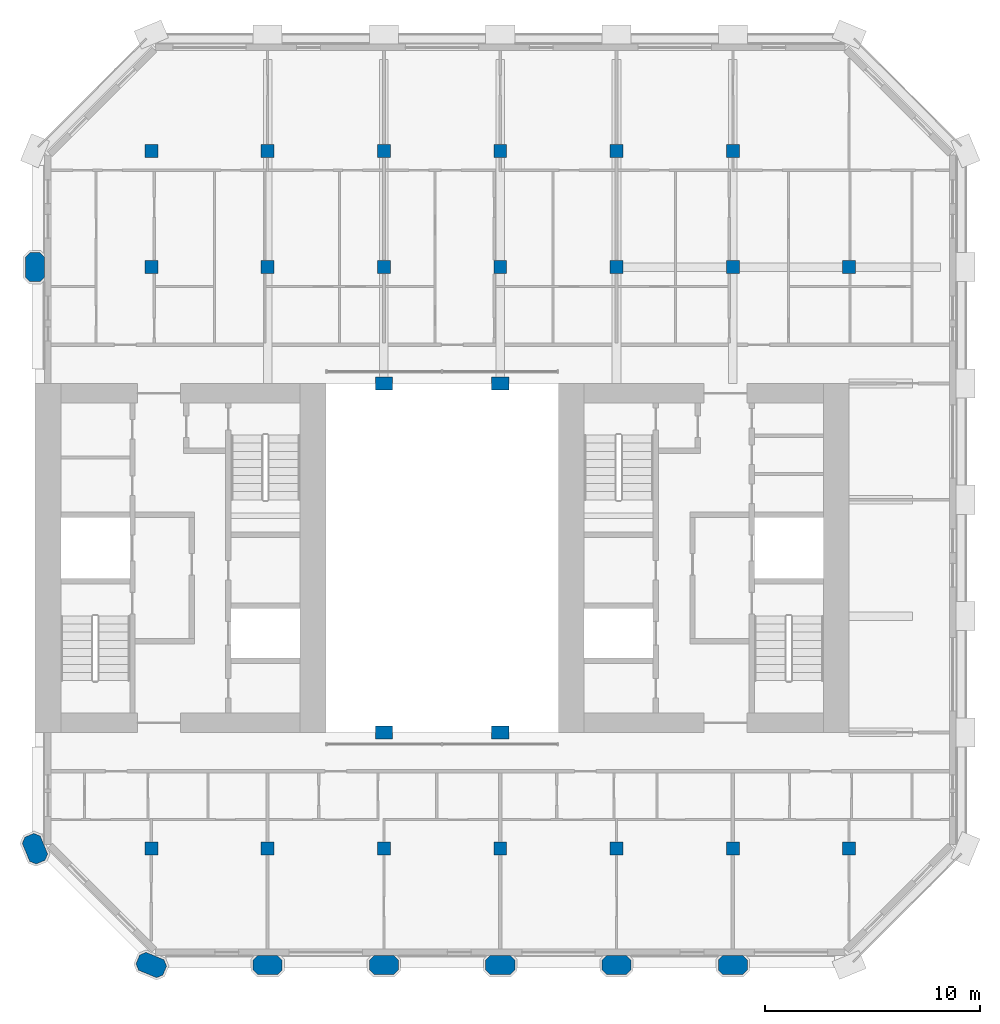
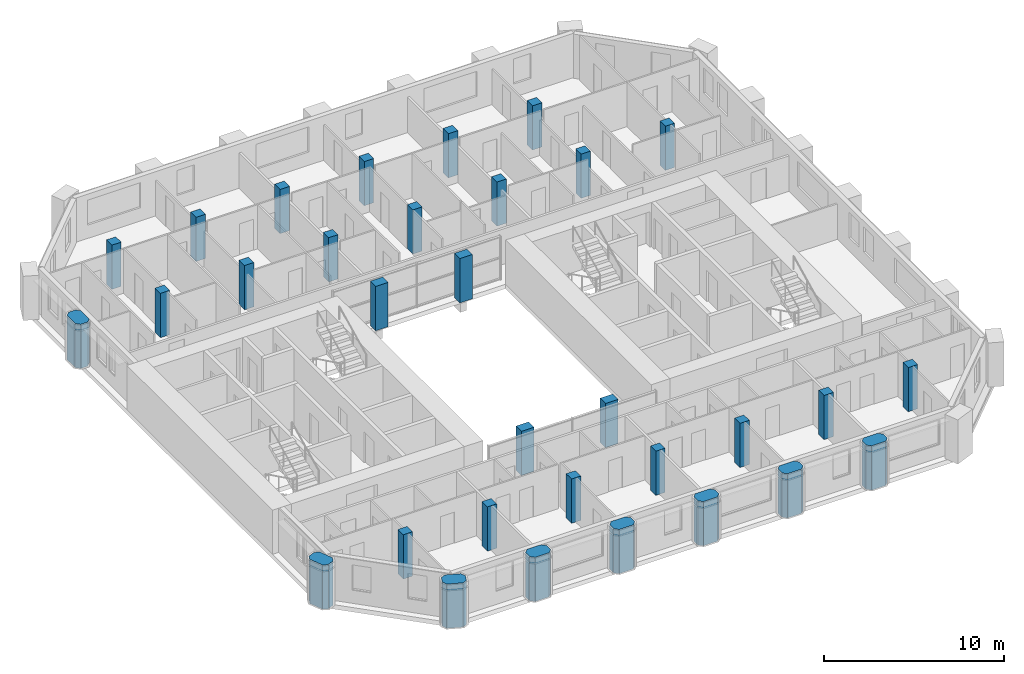
# One storey, part 1 of 13: 32 columns.
"""IFC4 building model written with IfcOpenShell, lengths in metres."""

from ifc_helpers import new_model, si_unit, direction, frame, origin, origin_2d, place, context, subcontext, project, spatial, polyline, rectangle, outline, extrude, material, material_profile, profile_set, type_object, element, save


model = new_model("IFC4")

# Units and contexts
model_context = context("Model", 3, precision=1e-05, world=origin(), true_north=direction((0.0, 1.0)))
body_context = subcontext(model_context, "Body", "Model", "MODEL_VIEW")
ifc_project = project(units=[si_unit("LENGTHUNIT", "METRE"), si_unit("AREAUNIT", "SQUARE_METRE"), si_unit("VOLUMEUNIT", "CUBIC_METRE"), si_unit("PLANEANGLEUNIT", "RADIAN"), si_unit("MASSUNIT", "GRAM", prefix="KILO")], contexts=[model_context])

# Site, building, storey
site_placement = place(None, origin())
site = spatial("IfcSite", under=ifc_project, at=site_placement, CompositionType="ELEMENT")
building_placement = place(site_placement, origin())
building = spatial("IfcBuilding", under=site, at=building_placement, Name="Tabaq Tower and Sports Hall", CompositionType="ELEMENT")
storey_placement = place(building_placement, frame((0.0, 0.0, 298.300048828125)))
storey = spatial("IfcBuildingStorey", under=building, at=storey_placement, Name="L74", CompositionType="ELEMENT", Elevation=298.300048828125)

# Columns
ifc_material_1 = material(Name="Concrete C40/50", Category="concrete")
ifc_material_profile_1 = material_profile(ifc_material_1, rectangle(XDim=0.800048828125, YDim=0.60009765625, at=origin_2d()), Name="ATRIUM COLUMN 800x600")
ifc_profile_set_1 = profile_set([ifc_material_profile_1], Name="Concrete C40/50")
column_type_1 = type_object("IfcColumnType", Name="RC COLUMN ATRIUM COLUMN 800x600 C40/50", PredefinedType="COLUMN", material=ifc_profile_set_1)
for number, where, z_axis, x_axis, name in (
    (1, (21.60009765625, 16.199951171875, 0.0), (0.0, 0.0, 1.0), (1.0, 0.0, 0.0), "Atrium Column 5/D L74"),
    (2, (27.0, 16.199951171875, 0.0), (0.0, 0.0, 1.0), (1.0, 0.0, 0.0), "Atrium Column 6/D L74"),
    (3, (21.60009765625, 32.39990234375, 0.0), (0.0, 0.0, 1.0), (1.0, 0.0, 0.0), "Atrium Column 5/G L74"),
    (4, (27.0, 32.39990234375, 0.0), (0.0, 0.0, 1.0), (1.0, 0.0, 0.0), "Atrium Column 6/G L74"),
):
    element("IfcColumn", number, at=place(storey_placement, frame(where, z_axis=z_axis, x_axis=x_axis)), inside=storey, type_object=column_type_1, Name=name, PredefinedType="COLUMN", context=body_context, shape_type="SweptSolid", body=[
        extrude(rectangle(XDim=0.800048828125, YDim=0.60009765625, at=origin_2d()), origin(), (0.0, 0.0, 1.0), 3.0),
    ])
ifc_material_2 = material(Name="Concrete C40/50", Category="concrete")
ifc_material_profile_2 = material_profile(ifc_material_2, rectangle(XDim=0.60009765625, YDim=0.60009765625, at=origin_2d()), Name="COLUMN 600x600")
ifc_profile_set_2 = profile_set([ifc_material_profile_2], Name="Concrete C40/50")
column_type_2 = type_object("IfcColumnType", Name="RC COLUMN COLUMN 600x600 C40/50", PredefinedType="COLUMN", material=ifc_profile_set_2)
for number, where, z_axis, x_axis, name in (
    (5, (10.800048828125, 10.800048828125, 0.0), (0.0, 0.0, 1.0), (1.0, 0.0, 0.0), "Column 3/C L74"),
    (6, (16.199951171875, 10.800048828125, 0.0), (0.0, 0.0, 1.0), (1.0, 0.0, 0.0), "Column 4/C L74"),
    (7, (21.60009765625, 10.800048828125, 0.0), (0.0, 0.0, 1.0), (1.0, 0.0, 0.0), "Column 5/C L74"),
    (8, (27.0, 10.800048828125, 0.0), (0.0, 0.0, 1.0), (1.0, 0.0, 0.0), "Column 6/C L74"),
    (9, (32.39990234375, 10.800048828125, 0.0), (0.0, 0.0, 1.0), (1.0, 0.0, 0.0), "Column 7/C L74"),
    (10, (37.800048828125, 10.800048828125, 0.0), (0.0, 0.0, 1.0), (1.0, 0.0, 0.0), "Column 8/C L74"),
    (11, (43.199951171875, 10.800048828125, 0.0), (0.0, 0.0, 1.0), (1.0, 0.0, 0.0), "Column 9/C L74"),
    (12, (10.800048828125, 37.800048828125, 0.0), (0.0, 0.0, 1.0), (1.0, 0.0, 0.0), "Column 3/H L74"),
    (13, (16.199951171875, 37.800048828125, 0.0), (0.0, 0.0, 1.0), (1.0, 0.0, 0.0), "Column 4/H L74"),
    (14, (21.60009765625, 37.800048828125, 0.0), (0.0, 0.0, 1.0), (1.0, 0.0, 0.0), "Column 5/H L74"),
    (15, (27.0, 37.800048828125, 0.0), (0.0, 0.0, 1.0), (1.0, 0.0, 0.0), "Column 6/H L74"),
    (16, (32.39990234375, 37.800048828125, 0.0), (0.0, 0.0, 1.0), (1.0, 0.0, 0.0), "Column 7/H L74"),
    (17, (37.800048828125, 37.800048828125, 0.0), (0.0, 0.0, 1.0), (1.0, 0.0, 0.0), "Column 8/H L74"),
    (18, (43.199951171875, 37.800048828125, 0.0), (0.0, 0.0, 1.0), (1.0, 0.0, 0.0), "Column 9/H L74"),
    (19, (10.800048828125, 43.199951171875, 0.0), (0.0, 0.0, 1.0), (1.0, 0.0, 0.0), "Column 3/I L74"),
    (20, (16.199951171875, 43.199951171875, 0.0), (0.0, 0.0, 1.0), (1.0, 0.0, 0.0), "Column 4/I L74"),
    (21, (21.60009765625, 43.199951171875, 0.0), (0.0, 0.0, 1.0), (1.0, 0.0, 0.0), "Column 5/I L74"),
    (22, (27.0, 43.199951171875, 0.0), (0.0, 0.0, 1.0), (1.0, 0.0, 0.0), "Column 6/I L74"),
    (23, (32.39990234375, 43.199951171875, 0.0), (0.0, 0.0, 1.0), (1.0, 0.0, 0.0), "Column 7/I L74"),
    (24, (37.800048828125, 43.199951171875, 0.0), (0.0, 0.0, 1.0), (1.0, 0.0, 0.0), "Column 8/I L74"),
):
    element("IfcColumn", number, at=place(storey_placement, frame(where, z_axis=z_axis, x_axis=x_axis)), inside=storey, type_object=column_type_2, Name=name, PredefinedType="COLUMN", context=body_context, shape_type="SweptSolid", body=[
        extrude(rectangle(XDim=0.60009765625, YDim=0.60009765625, at=origin_2d()), origin(), (0.0, 0.0, 1.0), 3.0),
    ])
ifc_material_3 = material(Name="Concrete C40/50", Category="concrete")
ifc_material_profile_3 = material_profile(ifc_material_3, outline(polyline([(-0.449951171875, -0.449951171875), (0.449951171875, -0.449951171875), (0.675048828125, -0.22509765625), (0.675048828125, 0.22509765625), (0.449951171875, 0.449951171875), (-0.449951171875, 0.449951171875), (-0.675048828125, 0.22509765625), (-0.675048828125, -0.22509765625), (-0.449951171875, -0.449951171875)])), Name="PIER 1350x900")
ifc_profile_set_3 = profile_set([ifc_material_profile_3], Name="Concrete C40/50")
column_type_3 = type_object("IfcColumnType", Name="RC COLUMN PIER 1350x900 C40/50", PredefinedType="COLUMN", material=ifc_profile_set_3)
for number, where, z_axis, x_axis, name in (
    (25, (10.800048828125, 5.39990234375, 0.0), (0.0, 0.0, 1.0), (-0.923879532511, 0.382683432365, 0.0), "Pier 3/B L74"),
    (26, (16.199951171875, 5.39990234375, 0.0), (0.0, 0.0, 1.0), (1.0, 0.0, 0.0), "Pier 4/B L74"),
    (27, (21.60009765625, 5.39990234375, 0.0), (0.0, 0.0, 1.0), (1.0, 0.0, 0.0), "Pier 5/B L74"),
    (28, (27.0, 5.39990234375, 0.0), (0.0, 0.0, 1.0), (1.0, 0.0, 0.0), "Pier 6/B L74"),
    (29, (32.39990234375, 5.39990234375, 0.0), (0.0, 0.0, 1.0), (1.0, 0.0, 0.0), "Pier 7/B L74"),
    (30, (37.800048828125, 5.39990234375, 0.0), (0.0, 0.0, 1.0), (1.0, 0.0, 0.0), "Pier 8/B L74"),
    (31, (5.39990234375, 10.800048828125, 0.0), (0.0, 0.0, 1.0), (-0.382683432365, 0.923879532511, 0.0), "Pier 2/C L74"),
    (32, (5.39990234375, 37.800048828125, 0.0), (0.0, 0.0, 1.0), (0.0, 1.0, 0.0), "Pier 2/H L74"),
):
    element("IfcColumn", number, at=place(storey_placement, frame(where, z_axis=z_axis, x_axis=x_axis)), inside=storey, type_object=column_type_3, Name=name, PredefinedType="COLUMN", context=body_context, shape_type="SweptSolid", body=[
        extrude(outline(polyline([(-0.449951171875, -0.449951171875), (0.449951171875, -0.449951171875), (0.675048828125, -0.22509765625), (0.675048828125, 0.22509765625), (0.449951171875, 0.449951171875), (-0.449951171875, 0.449951171875), (-0.675048828125, 0.22509765625), (-0.675048828125, -0.22509765625), (-0.449951171875, -0.449951171875)])), origin(), (0.0, 0.0, 1.0), 3.0),
    ])

save(model, "model.ifc")
